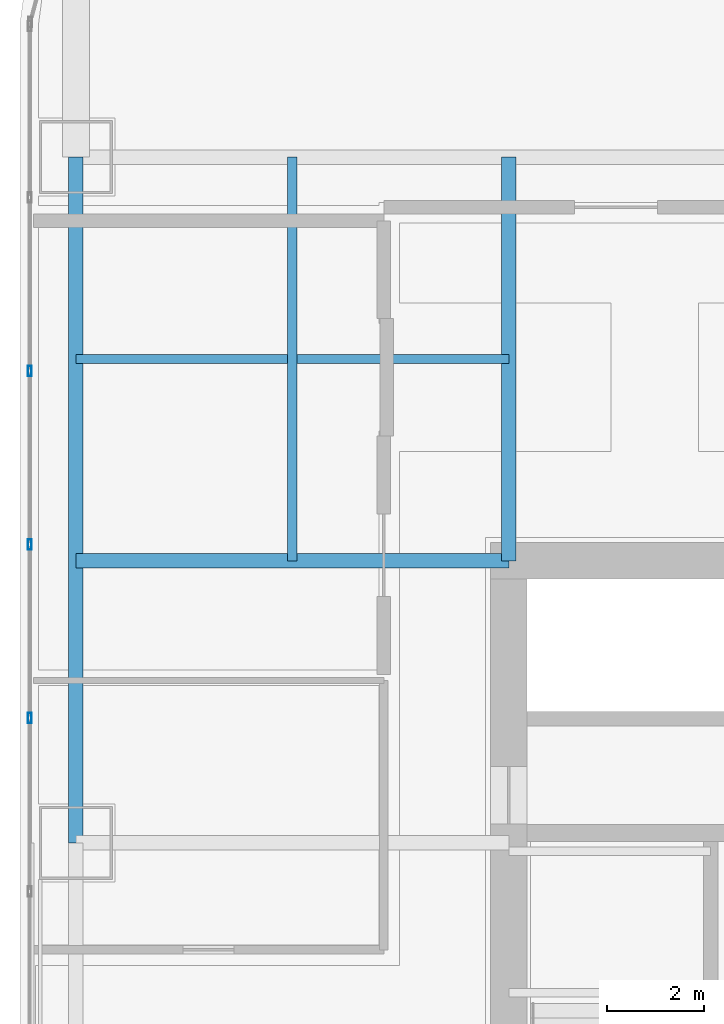
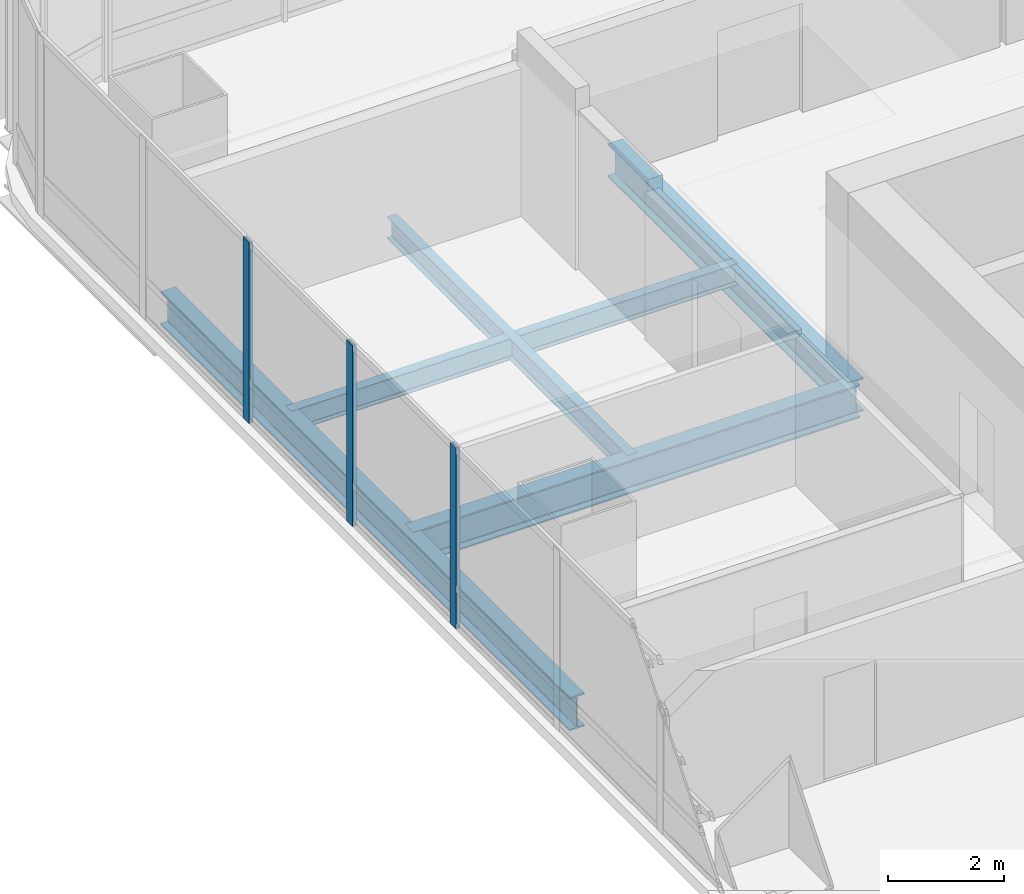
# One storey, part 11 of 34: 5 beams, 3 members, 1 element without a shape of its own.
"""IFC4 building model written with IfcOpenShell, lengths in metres."""

from ifc_helpers import new_model, si_unit, direction, frame, origin, origin_2d, place, context, subcontext, project, spatial, hollow_rectangle, i_section, extrude, material, material_profile, profile_set, type_object, element, aggregate, save


model = new_model("IFC4")

# Units and contexts
model_context = context("Model", 3, precision=1e-05, world=origin(), true_north=direction((0.0, 1.0)))
body_context = subcontext(model_context, "Body", "Model", "MODEL_VIEW")
ifc_project = project(units=[si_unit("LENGTHUNIT", "METRE"), si_unit("AREAUNIT", "SQUARE_METRE"), si_unit("VOLUMEUNIT", "CUBIC_METRE"), si_unit("PLANEANGLEUNIT", "RADIAN"), si_unit("MASSUNIT", "GRAM", prefix="KILO")], contexts=[model_context])

# Site, building, storey
site_placement = place(None, origin())
site = spatial("IfcSite", under=ifc_project, at=site_placement, CompositionType="ELEMENT")
building_placement = place(site_placement, origin())
building = spatial("IfcBuilding", under=site, at=building_placement, Name="Punatoya Terracotta Tower", CompositionType="ELEMENT")
storey_placement = place(building_placement, frame((0.0, 0.0, 97.050048828125)))
storey = spatial("IfcBuildingStorey", under=building, at=storey_placement, Name="L22", CompositionType="ELEMENT", Elevation=97.050048828125)

# Beams
ifc_material_1 = material(Name="Steel S355", Category="steel")
ifc_material_profile_1 = material_profile(ifc_material_1, i_section(OverallWidth=0.300048828125, OverallDepth=0.699951171875, WebThickness=0.01708984375, FlangeThickness=0.031982421875, FilletRadius=0.01806640625, at=origin_2d()))
ifc_profile_set_1 = profile_set([ifc_material_profile_1], Name="Steel S355")
beam_type_1 = type_object("IfcBeamType", Name="BM-PRI-700", PredefinedType="BEAM", material=ifc_profile_set_1)
beam_1_placement = place(storey_placement, frame((-19.10009765625, 3.39990234375, -0.590087890625), z_axis=(0.0, 1.0, 0.0), x_axis=(-1.0, 0.0, 0.0)))
element("IfcBeam", 1, at=beam_1_placement, inside=storey, type_object=beam_type_1, Name="BM-L22-RG-W3", PredefinedType="BEAM", context=body_context, shape_type="SweptSolid", body=[
    extrude(i_section(OverallWidth=0.300048828125, OverallDepth=0.699951171875, WebThickness=0.01708984375, FlangeThickness=0.031982421875, FilletRadius=0.01806640625, at=origin_2d()), origin(), (0.0, 0.0, 1.0), 14.10009765625),
])
beam_2_placement = place(storey_placement, frame((-19.10009765625, 9.199951171875, -0.590087890625), z_axis=(1.0, 0.0, 0.0), x_axis=(0.0, 1.0, 0.0)))
element("IfcBeam", 2, at=beam_2_placement, inside=storey, type_object=beam_type_1, Name="BM-L22-PR-WN", PredefinedType="BEAM", context=body_context, shape_type="SweptSolid", body=[
    extrude(i_section(OverallWidth=0.300048828125, OverallDepth=0.699951171875, WebThickness=0.01708984375, FlangeThickness=0.031982421875, FilletRadius=0.01806640625, at=origin_2d()), origin(), (0.0, 0.0, 1.0), 8.900146484375),
])
beam_3_placement = place(storey_placement, frame((-10.199951171875, 9.199951171875, -0.590087890625), z_axis=(0.0, 1.0, 0.0), x_axis=(-1.0, 0.0, 0.0)))
element("IfcBeam", 3, at=beam_3_placement, inside=storey, type_object=beam_type_1, Name="BM-L22-PR-N1", PredefinedType="BEAM", context=body_context, shape_type="SweptSolid", body=[
    extrude(i_section(OverallWidth=0.300048828125, OverallDepth=0.699951171875, WebThickness=0.01708984375, FlangeThickness=0.031982421875, FilletRadius=0.01806640625, at=origin_2d()), origin(), (0.0, 0.0, 1.0), 8.300048828125),
])
ifc_material_profile_2 = material_profile(ifc_material_1, i_section(OverallWidth=0.18994140625, OverallDepth=0.449951171875, WebThickness=0.009521484375, FlangeThickness=0.0146484375, FilletRadius=0.01806640625, at=origin_2d()))
ifc_profile_set_2 = profile_set([ifc_material_profile_2], Name="Steel S355")
beam_type_2 = type_object("IfcBeamType", Name="BM-SEC-450", PredefinedType="JOIST", material=ifc_profile_set_2)
beam_4_placement = place(storey_placement, frame((-19.10009765625, 13.35009765625, -0.465087890625), z_axis=(1.0, 0.0, 0.0), x_axis=(0.0, 1.0, 0.0)))
element("IfcBeam", 4, at=beam_4_placement, inside=storey, type_object=beam_type_2, Name="BM-L22-SJN-1", PredefinedType="JOIST", context=body_context, shape_type="SweptSolid", body=[
    extrude(i_section(OverallWidth=0.18994140625, OverallDepth=0.449951171875, WebThickness=0.009521484375, FlangeThickness=0.0146484375, FilletRadius=0.01806640625, at=origin_2d()), origin(), (0.0, 0.0, 1.0), 8.900146484375),
])
beam_5_placement = place(storey_placement, frame((-14.64990234375, 9.199951171875, -0.465087890625), z_axis=(0.0, 1.0, 0.0), x_axis=(-1.0, 0.0, 0.0)))
element("IfcBeam", 5, at=beam_5_placement, inside=storey, type_object=beam_type_2, Name="BM-L22-SJW-2", PredefinedType="JOIST", context=body_context, shape_type="SweptSolid", body=[
    extrude(i_section(OverallWidth=0.18994140625, OverallDepth=0.449951171875, WebThickness=0.009521484375, FlangeThickness=0.0146484375, FilletRadius=0.01806640625, at=origin_2d()), origin(), (0.0, 0.0, 1.0), 8.300048828125),
])

# Curtain wall, members
ifc_material_2 = material(Name="Aluminium 6063-T6 + Double Low-E Glass", Category="aluminium")
curtain_wall_type = type_object("IfcCurtainWallType", Name="CW-M1", PredefinedType="NOTDEFINED", material=ifc_material_2)
curtain_wall_placement = place(storey_placement, origin())
curtain_wall = element("IfcCurtainWall", 6, at=curtain_wall_placement, inside=storey, type_object=curtain_wall_type, Name="L22 Curtain Wall CW-L22-W13-1", PredefinedType="NOTDEFINED")
ifc_material_3 = material(Name="Aluminium 6063-T6", Category="aluminium")
ifc_material_profile_3 = material_profile(ifc_material_3, hollow_rectangle(XDim=0.074951171875, YDim=0.2099609375, WallThickness=0.00439453125, at=origin_2d()))
ifc_profile_set_3 = profile_set([ifc_material_profile_3], Name="Aluminium 6063-T6")
member_type = type_object("IfcMemberType", Name="CW-MUL-M1", PredefinedType="MULLION", material=ifc_profile_set_3)
member_1_placement = place(storey_placement, frame((-20.050048828125, 13.10205078125, 0.0), z_axis=(0.0, 0.0, 1.0), x_axis=(1.0, 0.0, 0.0)))
member_1 = element("IfcMember", 7, at=member_1_placement, type_object=member_type, Name="CW-L22-W13-1 Mullion 02", PredefinedType="MULLION", context=body_context, shape_type="SweptSolid", body=[
    extrude(hollow_rectangle(XDim=0.074951171875, YDim=0.2099609375, WallThickness=0.00439453125, at=origin_2d()), origin(), (0.0, 0.0, 1.0), 3.81005859375),
])
member_2_placement = place(storey_placement, frame((-20.050048828125, 9.534912109375, 0.0), z_axis=(0.0, 0.0, 1.0), x_axis=(1.0, 0.0, 0.0)))
member_2 = element("IfcMember", 8, at=member_2_placement, type_object=member_type, Name="CW-L22-W13-1 Mullion 03", PredefinedType="MULLION", context=body_context, shape_type="SweptSolid", body=[
    extrude(hollow_rectangle(XDim=0.074951171875, YDim=0.2099609375, WallThickness=0.00439453125, at=origin_2d()), origin(), (0.0, 0.0, 1.0), 3.81005859375),
])
member_3_placement = place(storey_placement, frame((-20.050048828125, 5.96728515625, 0.0), z_axis=(0.0, 0.0, 1.0), x_axis=(1.0, 0.0, 0.0)))
member_3 = element("IfcMember", 9, at=member_3_placement, type_object=member_type, Name="CW-L22-W13-1 Mullion 04", PredefinedType="MULLION", context=body_context, shape_type="SweptSolid", body=[
    extrude(hollow_rectangle(XDim=0.074951171875, YDim=0.2099609375, WallThickness=0.00439453125, at=origin_2d()), origin(), (0.0, 0.0, 1.0), 3.81005859375),
])
aggregate(curtain_wall, [member_1, member_2, member_3])

save(model, "model.ifc")
